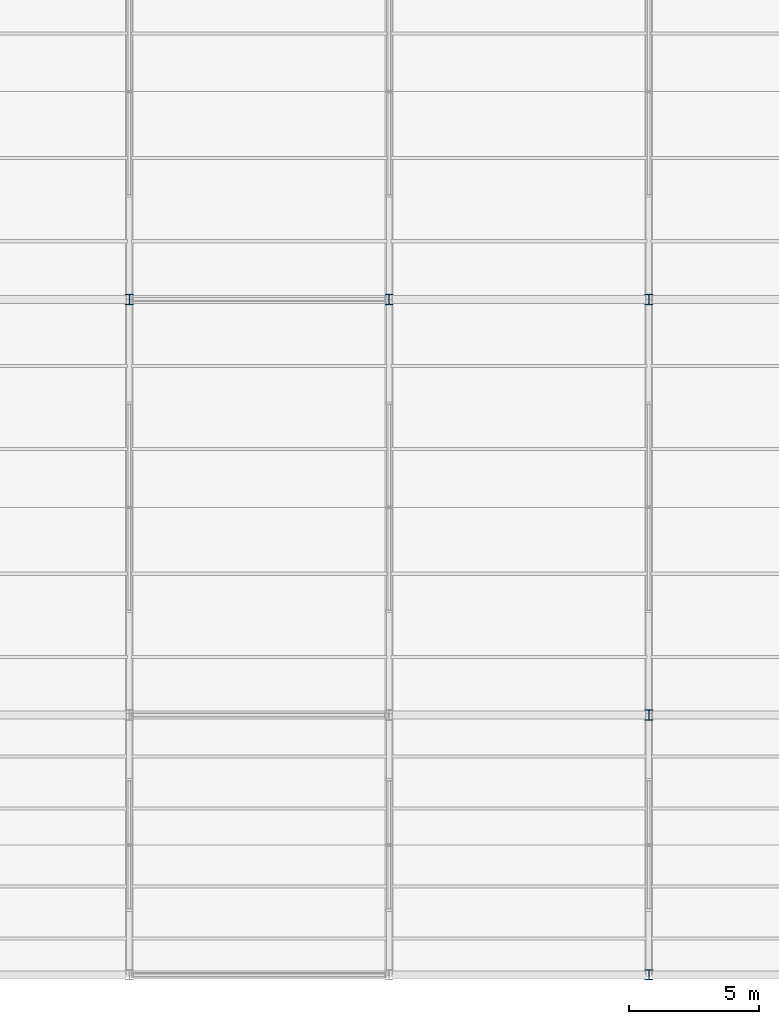
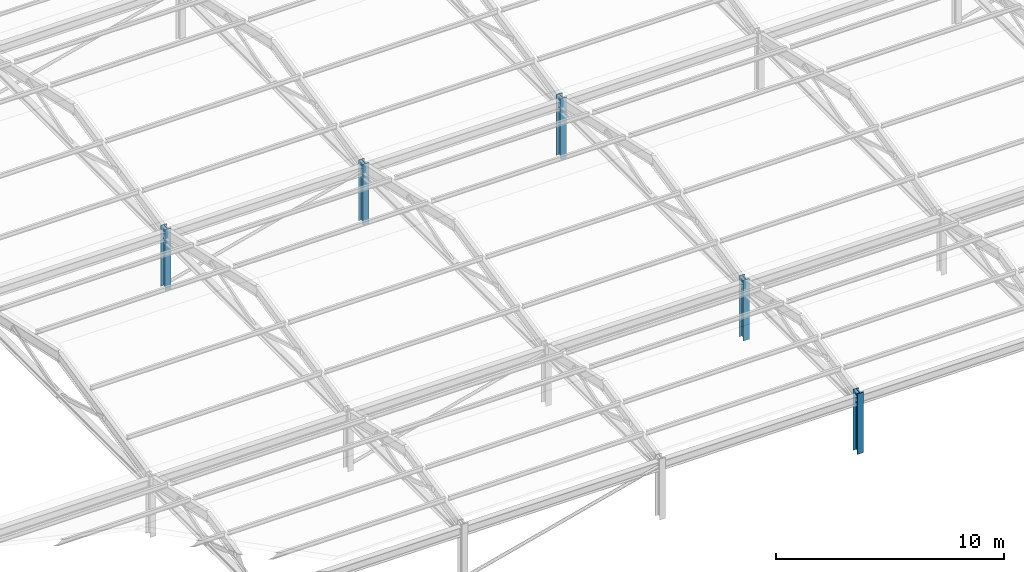
# One storey, part 6 of 109: 5 columns.
"""IFC4 building model written with IfcOpenShell, lengths in metres."""

from ifc_helpers import new_model, si_unit, direction, frame, origin, origin_2d, place, context, subcontext, project, spatial, i_section, extrude, material, material_profile, profile_set, type_object, element, save


model = new_model("IFC4")

# Units and contexts
model_context = context("Model", 3, precision=1e-05, world=origin(), true_north=direction((0.0, 1.0)))
body_context = subcontext(model_context, "Body", "Model", "MODEL_VIEW")
ifc_project = project(units=[si_unit("LENGTHUNIT", "METRE"), si_unit("AREAUNIT", "SQUARE_METRE"), si_unit("VOLUMEUNIT", "CUBIC_METRE"), si_unit("PLANEANGLEUNIT", "RADIAN"), si_unit("MASSUNIT", "GRAM", prefix="KILO")], contexts=[model_context])

# Site, building, storey
site_placement = place(None, origin())
site = spatial("IfcSite", under=ifc_project, at=site_placement, CompositionType="ELEMENT")
building_placement = place(site_placement, origin())
building = spatial("IfcBuilding", under=site, at=building_placement, Name="Kivolera Central Railway Station", CompositionType="ELEMENT")
storey_placement = place(building_placement, frame((0.0, 0.0, 9.60009765625)))
storey = spatial("IfcBuildingStorey", under=building, at=storey_placement, Name="L02", CompositionType="ELEMENT", Elevation=9.60009765625)

# Columns
ifc_material = material(Name="Steel S355", Category="steel")
ifc_material_profile = material_profile(ifc_material, i_section(OverallWidth=0.300048828125, OverallDepth=0.39990234375, WebThickness=0.013427734375, FlangeThickness=0.02392578125, FilletRadius=0.027099609375, at=origin_2d()), Name="HEB 400")
ifc_profile_set = profile_set([ifc_material_profile], Name="Steel S355")
column_type = type_object("IfcColumnType", Name="COL-STL-HEB400", PredefinedType="COLUMN", material=ifc_profile_set)
for number, where, z_axis, x_axis, name in (
    (1, (108.0, 32.0, 0.0), (0.0, 0.0, 1.0), (1.0, 0.0, 0.0), "L02 Train Shed Upper Mast 11-C"),
    (2, (118.0, 32.0, 0.0), (0.0, 0.0, 1.0), (1.0, 0.0, 0.0), "L02 Train Shed Upper Mast 12-C"),
    (3, (128.0, 6.0, 0.0), (0.0, 0.0, 1.0), (1.0, 0.0, 0.0), "L02 Train Shed Upper Mast 13-A"),
    (4, (128.0, 16.0, 0.0), (0.0, 0.0, 1.0), (1.0, 0.0, 0.0), "L02 Train Shed Upper Mast 13-B"),
    (5, (128.0, 32.0, 0.0), (0.0, 0.0, 1.0), (1.0, 0.0, 0.0), "L02 Train Shed Upper Mast 13-C"),
):
    element("IfcColumn", number, at=place(storey_placement, frame(where, z_axis=z_axis, x_axis=x_axis)), inside=storey, type_object=column_type, Name=name, PredefinedType="COLUMN", context=body_context, shape_type="SweptSolid", body=[
        extrude(i_section(OverallWidth=0.300048828125, OverallDepth=0.39990234375, WebThickness=0.013427734375, FlangeThickness=0.02392578125, FilletRadius=0.027099609375, at=origin_2d()), origin(), (0.0, 0.0, 1.0), 3.25),
    ])

save(model, "model.ifc")
